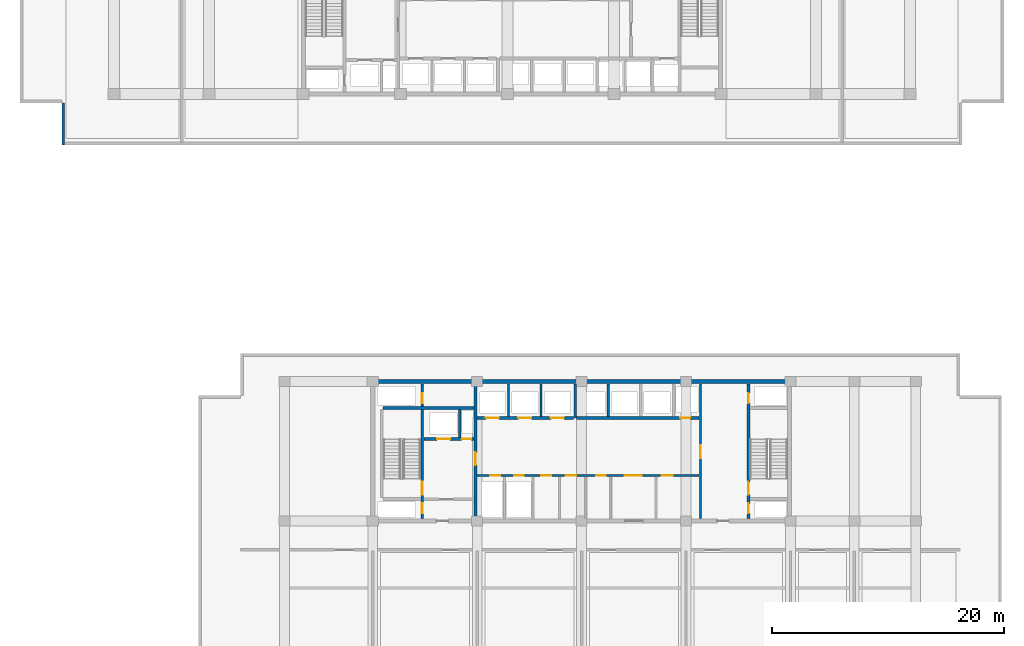
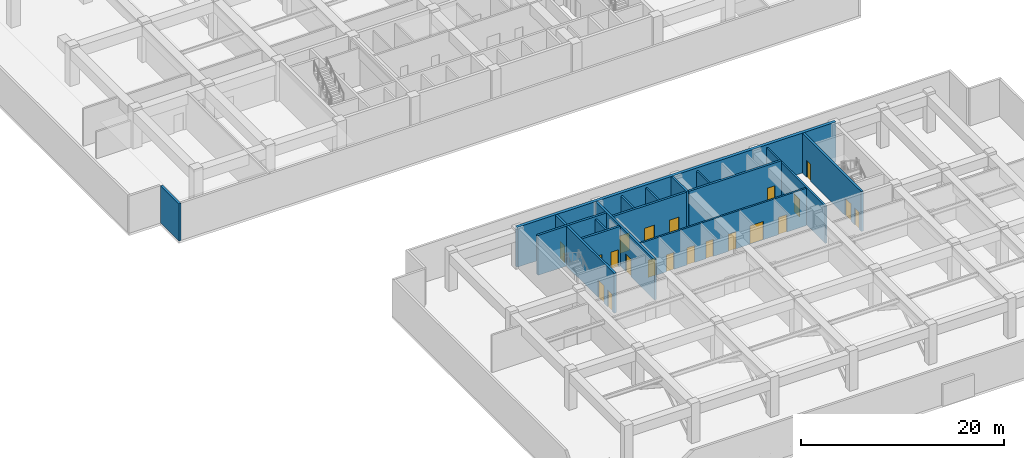
# One storey, part 9 of 21: 21 doors, 16 walls, 21 openings.
"""IFC4 building model written with IfcOpenShell, lengths in metres."""

from ifc_helpers import new_model, si_unit, direction, frame, frame_2d, origin, place, context, subcontext, project, spatial, rectangle, extrude, material, layer, layer_set, type_object, element, fill, save


model = new_model("IFC4")

# Units and contexts
model_context = context("Model", 3, precision=1e-05, world=origin(), true_north=direction((0.0, 1.0)))
body_context = subcontext(model_context, "Body", "Model", "MODEL_VIEW")
ifc_project = project(units=[si_unit("LENGTHUNIT", "METRE"), si_unit("AREAUNIT", "SQUARE_METRE"), si_unit("VOLUMEUNIT", "CUBIC_METRE"), si_unit("PLANEANGLEUNIT", "RADIAN"), si_unit("MASSUNIT", "GRAM", prefix="KILO")], contexts=[model_context])

# Site, building, storey
site_placement = place(None, origin())
site = spatial("IfcSite", under=ifc_project, at=site_placement, CompositionType="ELEMENT")
building_placement = place(site_placement, origin())
building = spatial("IfcBuilding", under=site, at=building_placement, Name="Korimba Cascade Residences", CompositionType="ELEMENT")
storey_placement = place(building_placement, frame((0.0, 0.0, 76.0)))
storey = spatial("IfcBuildingStorey", under=building, at=storey_placement, Name="L21", CompositionType="ELEMENT", Elevation=76.0)

# Walls
ifc_material_1 = material(Name="Precast concrete C40/50", Category="concrete")
ifc_layer_1 = layer(ifc_material_1, 0.25)
ifc_layer_set_1 = layer_set([ifc_layer_1], Name="Precast concrete C40/50")
wall_type_1 = type_object("IfcWallType", Name="EW-PLNT-250", PredefinedType="SHEAR", material=ifc_layer_set_1)
wall_1_placement = place(storey_placement, frame((55.425048828125, 54.39990234375, 0.0), z_axis=(0.0, 0.0, 1.0), x_axis=(0.0, -1.0, 0.0)))
element("IfcWall", 1, at=wall_1_placement, inside=storey, type_object=wall_type_1, Name="L21 T1 Perimeter Stone Wall E11", PredefinedType="SHEAR", context=body_context, shape_type="SweptSolid", body=[
    extrude(rectangle(XDim=3.599853515625, YDim=0.25, at=frame_2d((1.7998046875, 0.0))), origin(), (0.0, 0.0, 1.0), 4.47998046875),
])
ifc_material_2 = material(Name="Concrete C65/80", Category="concrete")
ifc_layer_2 = layer(ifc_material_2, 0.35009765625)
ifc_layer_set_2 = layer_set([ifc_layer_2], Name="Concrete C65/80")
wall_type_2 = type_object("IfcWallType", Name="WAL-CORE-350", PredefinedType="SHEAR", material=ifc_layer_set_2)
wall_2_placement = place(storey_placement, frame((81.925048828125, 30.39990234375, 0.0), z_axis=(0.0, 0.0, 1.0), x_axis=(1.0, 0.0, 0.0)))
element("IfcWall", 2, at=wall_2_placement, inside=storey, type_object=wall_type_2, Name="L21 Core Shear Wall CW-L21-T2-N", PredefinedType="SHEAR", context=body_context, shape_type="SweptSolid", body=[
    extrude(rectangle(XDim=36.264892578125, YDim=0.35009765625, at=frame_2d((18.13232421875, 0.0))), origin(), (0.0, 0.0, 1.0), 4.800048828125),
])
ifc_material_3 = material(Name="Concrete C40/50", Category="concrete")
ifc_layer_3 = layer(ifc_material_3, 0.199951171875)
ifc_layer_set_3 = layer_set([ifc_layer_3], Name="Concrete C40/50")
wall_type_3 = type_object("IfcWallType", Name="WAL-PART-200", PredefinedType="PARTITIONING", material=ifc_layer_set_3)
wall_3_placement = place(storey_placement, frame((89.60009765625, 25.580078125, 0.0), z_axis=(0.0, 0.0, 1.0), x_axis=(0.0, 1.0, 0.0)))
element("IfcWall", 3, at=wall_3_placement, inside=storey, type_object=wall_type_3, Name="L21 Partition Wall CW-L21-T2-FFLDIV", PredefinedType="PARTITIONING", context=body_context, shape_type="SweptSolid", body=[
    extrude(rectangle(XDim=2.419921875, YDim=0.199951171875, at=frame_2d((1.2099609375, 0.0))), origin(), (0.0, 0.0, 1.0), 4.47998046875),
])
for number, where, z_axis, x_axis, name in (
    (4, (93.800048828125, 27.3798828125, 0.0), (0.0, 0.0, 1.0), (0.0, 1.0, 0.0), "L21 Partition Wall CW-L21-T2-B1D1"),
    (5, (96.60009765625, 27.3798828125, 0.0), (0.0, 0.0, 1.0), (0.0, 1.0, 0.0), "L21 Partition Wall CW-L21-T2-B1D2"),
    (6, (102.39990234375, 27.3798828125, 0.0), (0.0, 0.0, 1.0), (0.0, 1.0, 0.0), "L21 Partition Wall CW-L21-T2-B2D1"),
):
    element("IfcWall", number, at=place(storey_placement, frame(where, z_axis=z_axis, x_axis=x_axis)), inside=storey, type_object=wall_type_3, Name=name, PredefinedType="PARTITIONING", context=body_context, shape_type="SweptSolid", body=[
        extrude(rectangle(XDim=2.820068359375, YDim=0.199951171875, at=frame_2d((1.41015625, 0.0))), origin(), (0.0, 0.0, 1.0), 4.47998046875),
    ])

# Wall, openings, doors
wall_4_placement = place(storey_placement, frame((91.080078125, 22.300048828125, 0.0), z_axis=(0.0, 0.0, 1.0), x_axis=(1.0, 0.0, 0.0)))
wall_4 = element("IfcWall", 7, at=wall_4_placement, inside=storey, type_object=wall_type_3, Name="L21 Partition Wall CW-L21-T2-SRVROW", PredefinedType="PARTITIONING", context=body_context, shape_type="SweptSolid", body=[
    extrude(rectangle(XDim=19.139892578125, YDim=0.199951171875, at=frame_2d((9.56982421875, 0.0))), origin(), (0.0, 0.0, 1.0), 4.47998046875),
])
opening_1_placement = place(wall_4_placement, frame((1.14990234375, 0.0, 0.0)))
opening_1 = element("IfcOpeningElement", 8, at=opening_1_placement, cuts=wall_4, Name="Opening D-RS1", PredefinedType="OPENING", context=body_context, shape_type="SweptSolid", body=[
    extrude(rectangle(XDim=0.85009765625, YDim=2.050048828125, at=frame_2d((0.425048828125, 1.02490234375))), frame((0.0, 0.10986328125, 0.0), z_axis=(0.0, -1.0, 0.0), x_axis=(1.0, 0.0, 0.0)), (0.0, 0.0, 1.0), 0.219970703125),
])
opening_2_placement = place(wall_4_placement, frame((3.199951171875, 0.0, 0.0)))
opening_2 = element("IfcOpeningElement", 9, at=opening_2_placement, cuts=wall_4, Name="Opening D-RS1", PredefinedType="OPENING", context=body_context, shape_type="SweptSolid", body=[
    extrude(rectangle(XDim=0.85009765625, YDim=2.050048828125, at=frame_2d((0.425048828125, 1.02490234375))), frame((0.0, 0.10986328125, 0.0), z_axis=(0.0, -1.0, 0.0), x_axis=(1.0, 0.0, 0.0)), (0.0, 0.0, 1.0), 0.219970703125),
])
opening_3_placement = place(wall_4_placement, frame((12.719970703125, 0.0, 0.0)))
opening_3 = element("IfcOpeningElement", 10, at=opening_3_placement, cuts=wall_4, Name="Opening D-FD8", PredefinedType="OPENING", context=body_context, shape_type="SweptSolid", body=[
    extrude(rectangle(XDim=1.5, YDim=2.199951171875, at=frame_2d((0.75, 1.10009765625))), frame((0.0, 0.10986328125, 0.0), z_axis=(0.0, -1.0, 0.0), x_axis=(1.0, 0.0, 0.0)), (0.0, 0.0, 1.0), 0.219970703125),
])
opening_4_placement = place(wall_4_placement, frame((5.52001953125, 0.0, 0.0)))
opening_4 = element("IfcOpeningElement", 11, at=opening_4_placement, cuts=wall_4, Name="Opening D-IN2", PredefinedType="OPENING", context=body_context, shape_type="SweptSolid", body=[
    extrude(rectangle(XDim=0.8798828125, YDim=2.06005859375, at=frame_2d((0.43994140625, 1.030029296875))), frame((0.0, 0.10986328125, 0.0), z_axis=(0.0, -1.0, 0.0), x_axis=(1.0, 0.0, 0.0)), (0.0, 0.0, 1.0), 0.219970703125),
])
opening_5_placement = place(wall_4_placement, frame((7.669921875, 0.0, 0.0)))
opening_5 = element("IfcOpeningElement", 12, at=opening_5_placement, cuts=wall_4, Name="Opening D-IN2", PredefinedType="OPENING", context=body_context, shape_type="SweptSolid", body=[
    extrude(rectangle(XDim=0.8798828125, YDim=2.06005859375, at=frame_2d((0.43994140625, 1.030029296875))), frame((0.0, 0.10986328125, 0.0), z_axis=(0.0, -1.0, 0.0), x_axis=(1.0, 0.0, 0.0)), (0.0, 0.0, 1.0), 0.219970703125),
])
opening_6_placement = place(wall_4_placement, frame((10.27001953125, 0.0, 0.0)))
opening_6 = element("IfcOpeningElement", 13, at=opening_6_placement, cuts=wall_4, Name="Opening D-RS1", PredefinedType="OPENING", context=body_context, shape_type="SweptSolid", body=[
    extrude(rectangle(XDim=0.85009765625, YDim=2.050048828125, at=frame_2d((0.425048828125, 1.02490234375))), frame((0.0, 0.10986328125, 0.0), z_axis=(0.0, -1.0, 0.0), x_axis=(1.0, 0.0, 0.0)), (0.0, 0.0, 1.0), 0.219970703125),
])
opening_7_placement = place(wall_4_placement, frame((15.919921875, 0.0, 0.0)))
opening_7 = element("IfcOpeningElement", 14, at=opening_7_placement, cuts=wall_4, Name="Opening D-AC1", PredefinedType="OPENING", context=body_context, shape_type="SweptSolid", body=[
    extrude(rectangle(XDim=0.9599609375, YDim=2.10009765625, at=frame_2d((0.47998046875, 1.050048828125))), frame((0.0, 0.10986328125, 0.0), z_axis=(0.0, -1.0, 0.0), x_axis=(1.0, 0.0, 0.0)), (0.0, 0.0, 1.0), 0.219970703125),
])
ifc_material_4 = material(Name="Accessible Acoustic Timber WC Door", Category="wood")
door_type_1 = type_object("IfcDoorType", Name="DR-ACC-950", OperationType="NOTDEFINED", PredefinedType="DOOR", material=ifc_material_4)
door_1_placement = place(opening_7_placement, origin())
door_1 = element("IfcDoor", 15, at=door_1_placement, inside=storey, type_object=door_type_1, Name="L21 T2 Accessible Staff WC Door", OperationType="SINGLE_SWING_RIGHT", OverallHeight=2.10009765625, OverallWidth=0.9599609375, PredefinedType="DOOR", context=body_context, shape_type="SweptSolid", body=[
    extrude(rectangle(XDim=0.9599609375, YDim=2.10009765625, at=frame_2d((0.47998046875, 1.050048828125))), frame((0.0, 0.02490234375, 0.0), z_axis=(0.0, -1.0, 0.0), x_axis=(1.0, 0.0, 0.0)), (0.0, 0.0, 1.0), 0.050048828125),
])
fill(opening_7, door_1)
ifc_material_5 = material(Name="Fire-Rated Steel Riser Access Door", Category="steel")
door_type_2 = type_object("IfcDoorType", Name="DR-FD60-850", OperationType="NOTDEFINED", PredefinedType="DOOR", material=ifc_material_5)
door_2_placement = place(opening_1_placement, origin())
door_2 = element("IfcDoor", 16, at=door_2_placement, inside=storey, type_object=door_type_2, Name="L21 T2 Electrical Riser Door", OperationType="SINGLE_SWING_LEFT", OverallHeight=2.050048828125, OverallWidth=0.85009765625, PredefinedType="DOOR", context=body_context, shape_type="SweptSolid", body=[
    extrude(rectangle(XDim=0.85009765625, YDim=2.050048828125, at=frame_2d((0.425048828125, 1.02490234375))), frame((0.0, 0.02490234375, 0.0), z_axis=(0.0, -1.0, 0.0), x_axis=(1.0, 0.0, 0.0)), (0.0, 0.0, 1.0), 0.050048828125),
])
fill(opening_1, door_2)
door_3_placement = place(opening_2_placement, origin())
door_3 = element("IfcDoor", 17, at=door_3_placement, inside=storey, type_object=door_type_2, Name="L21 T2 Plumbing Riser Door", OperationType="SINGLE_SWING_RIGHT", OverallHeight=2.050048828125, OverallWidth=0.85009765625, PredefinedType="DOOR", context=body_context, shape_type="SweptSolid", body=[
    extrude(rectangle(XDim=0.85009765625, YDim=2.050048828125, at=frame_2d((0.425048828125, 1.02490234375))), frame((0.0, 0.02490234375, 0.0), z_axis=(0.0, -1.0, 0.0), x_axis=(1.0, 0.0, 0.0)), (0.0, 0.0, 1.0), 0.050048828125),
])
fill(opening_2, door_3)
door_4_placement = place(opening_6_placement, origin())
door_4 = element("IfcDoor", 18, at=door_4_placement, inside=storey, type_object=door_type_2, Name="L21 T2 IT Room Door", OperationType="SINGLE_SWING_LEFT", OverallHeight=2.050048828125, OverallWidth=0.85009765625, PredefinedType="DOOR", context=body_context, shape_type="SweptSolid", body=[
    extrude(rectangle(XDim=0.85009765625, YDim=2.050048828125, at=frame_2d((0.425048828125, 1.02490234375))), frame((0.0, 0.02490234375, 0.0), z_axis=(0.0, -1.0, 0.0), x_axis=(1.0, 0.0, 0.0)), (0.0, 0.0, 1.0), 0.050048828125),
])
fill(opening_6, door_4)
ifc_material_6 = material(Name="Fire-Rated Glazed Lift Lobby Double Door", Category="glass")
door_type_3 = type_object("IfcDoorType", Name="DR-FD90-1500", OperationType="NOTDEFINED", PredefinedType="DOOR", material=ifc_material_6)
door_5_placement = place(opening_3_placement, origin())
door_5 = element("IfcDoor", 19, at=door_5_placement, inside=storey, type_object=door_type_3, Name="L21 T2 Lift Lobby Foyer Door", OperationType="DOUBLE_DOOR_SINGLE_SWING", OverallHeight=2.199951171875, OverallWidth=1.5, PredefinedType="DOOR", context=body_context, shape_type="SweptSolid", body=[
    extrude(rectangle(XDim=1.5, YDim=2.199951171875, at=frame_2d((0.75, 1.10009765625))), frame((0.0, 0.02490234375, 0.0), z_axis=(0.0, -1.0, 0.0), x_axis=(1.0, 0.0, 0.0)), (0.0, 0.0, 1.0), 0.050048828125),
])
fill(opening_3, door_5)
ifc_material_7 = material(Name="Acoustic Timber Bedroom Door", Category="wood")
door_type_4 = type_object("IfcDoorType", Name="DR-INT-880", OperationType="NOTDEFINED", PredefinedType="DOOR", material=ifc_material_7)
door_6_placement = place(opening_4_placement, origin())
door_6 = element("IfcDoor", 20, at=door_6_placement, inside=storey, type_object=door_type_4, Name="L21 T2 Cleaners Door", OperationType="SINGLE_SWING_LEFT", OverallHeight=2.06005859375, OverallWidth=0.8798828125, PredefinedType="DOOR", context=body_context, shape_type="SweptSolid", body=[
    extrude(rectangle(XDim=0.8798828125, YDim=2.06005859375, at=frame_2d((0.43994140625, 1.030029296875))), frame((0.0, 0.02490234375, 0.0), z_axis=(0.0, -1.0, 0.0), x_axis=(1.0, 0.0, 0.0)), (0.0, 0.0, 1.0), 0.050048828125),
])
fill(opening_4, door_6)
door_7_placement = place(opening_5_placement, origin())
door_7 = element("IfcDoor", 21, at=door_7_placement, inside=storey, type_object=door_type_4, Name="L21 T2 Pantry Door", OperationType="SINGLE_SWING_RIGHT", OverallHeight=2.06005859375, OverallWidth=0.8798828125, PredefinedType="DOOR", context=body_context, shape_type="SweptSolid", body=[
    extrude(rectangle(XDim=0.8798828125, YDim=2.06005859375, at=frame_2d((0.43994140625, 1.030029296875))), frame((0.0, 0.02490234375, 0.0), z_axis=(0.0, -1.0, 0.0), x_axis=(1.0, 0.0, 0.0)), (0.0, 0.0, 1.0), 0.050048828125),
])
fill(opening_5, door_7)

# Wall, opening, door
wall_5_placement = place(storey_placement, frame((110.35009765625, 18.60009765625, 0.0), z_axis=(0.0, 0.0, 1.0), x_axis=(0.0, 1.0, 0.0)))
wall_5 = element("IfcWall", 22, at=wall_5_placement, inside=storey, type_object=wall_type_3, Name="L21 Partition Wall CW-L21-T2-LLEV", PredefinedType="PARTITIONING", context=body_context, shape_type="SweptSolid", body=[
    extrude(rectangle(XDim=11.599853515625, YDim=0.199951171875, at=frame_2d((5.7998046875, 0.0))), origin(), (0.0, 0.0, 1.0), 4.47998046875),
])
opening_8_placement = place(wall_5_placement, frame((5.199951171875, 0.0, 0.0)))
opening_8 = element("IfcOpeningElement", 23, at=opening_8_placement, cuts=wall_5, Name="Opening D-FD6", PredefinedType="OPENING", context=body_context, shape_type="SweptSolid", body=[
    extrude(rectangle(XDim=1.10009765625, YDim=2.14990234375, at=frame_2d((0.550048828125, 1.074951171875))), frame((0.0, 0.10986328125, 0.0), z_axis=(0.0, -1.0, 0.0), x_axis=(1.0, 0.0, 0.0)), (0.0, 0.0, 1.0), 0.219970703125),
])
ifc_material_8 = material(Name="Fire-Rated Timber Stair Lobby Door", Category="wood")
door_type_5 = type_object("IfcDoorType", Name="DR-FD90-1100", OperationType="NOTDEFINED", PredefinedType="DOOR", material=ifc_material_8)
door_8_placement = place(opening_8_placement, origin())
door_8 = element("IfcDoor", 24, at=door_8_placement, inside=storey, type_object=door_type_5, Name="L21 T2 Lift Lobby to East Stair Lobby Door", OperationType="SINGLE_SWING_LEFT", OverallHeight=2.14990234375, OverallWidth=1.10009765625, PredefinedType="DOOR", context=body_context, shape_type="SweptSolid", body=[
    extrude(rectangle(XDim=1.10009765625, YDim=2.14990234375, at=frame_2d((0.550048828125, 1.074951171875))), frame((0.0, 0.02490234375, 0.0), z_axis=(0.0, -1.0, 0.0), x_axis=(1.0, 0.0, 0.0)), (0.0, 0.0, 1.0), 0.050048828125),
])
fill(opening_8, door_8)

# Wall, openings, doors
ifc_material_9 = material(Name="Concrete C50/60", Category="concrete")
ifc_layer_4 = layer(ifc_material_9, 0.25)
ifc_layer_set_4 = layer_set([ifc_layer_4], Name="Concrete C50/60")
wall_type_4 = type_object("IfcWallType", Name="WAL-SHAFT-250", PredefinedType="SHEAR", material=ifc_layer_set_4)
wall_6_placement = place(storey_placement, frame((86.364990234375, 18.60009765625, 0.0), z_axis=(0.0, 0.0, 1.0), x_axis=(0.0, 1.0, 0.0)))
wall_6 = element("IfcWall", 25, at=wall_6_placement, inside=storey, type_object=wall_type_4, Name="L21 Core Shear Wall CW-L21-T2-STE1E", PredefinedType="SHEAR", context=body_context, shape_type="SweptSolid", body=[
    extrude(rectangle(XDim=11.599853515625, YDim=0.25, at=frame_2d((5.7998046875, 0.0))), origin(), (0.0, 0.0, 1.0), 4.800048828125),
])
opening_9_placement = place(wall_6_placement, frame((0.449951171875, 0.0, 0.0)))
opening_9 = element("IfcOpeningElement", 26, at=opening_9_placement, cuts=wall_6, Name="Opening D-RS1", PredefinedType="OPENING", context=body_context, shape_type="SweptSolid", body=[
    extrude(rectangle(XDim=0.85009765625, YDim=2.050048828125, at=frame_2d((0.425048828125, 1.02490234375))), frame((0.0, 0.135009765625, 0.0), z_axis=(0.0, -1.0, 0.0), x_axis=(1.0, 0.0, 0.0)), (0.0, 0.0, 1.0), 0.27001953125),
])
opening_10_placement = place(wall_6_placement, frame((2.050048828125, 0.0, 0.0)))
opening_10 = element("IfcOpeningElement", 27, at=opening_10_placement, cuts=wall_6, Name="Opening D-FD1", PredefinedType="OPENING", context=body_context, shape_type="SweptSolid", body=[
    extrude(rectangle(XDim=1.10009765625, YDim=2.10009765625, at=frame_2d((0.550048828125, 1.050048828125))), frame((0.0, 0.135009765625, 0.0), z_axis=(0.0, -1.0, 0.0), x_axis=(1.0, 0.0, 0.0)), (0.0, 0.0, 1.0), 0.27001953125),
])
opening_11_placement = place(wall_6_placement, frame((9.949951171875, 0.0, 0.0)))
opening_11 = element("IfcOpeningElement", 28, at=opening_11_placement, cuts=wall_6, Name="Opening D-RS1", PredefinedType="OPENING", context=body_context, shape_type="SweptSolid", body=[
    extrude(rectangle(XDim=0.85009765625, YDim=2.050048828125, at=frame_2d((0.425048828125, 1.02490234375))), frame((0.0, 0.135009765625, 0.0), z_axis=(0.0, -1.0, 0.0), x_axis=(1.0, 0.0, 0.0)), (0.0, 0.0, 1.0), 0.27001953125),
])
ifc_material_10 = material(Name="Fire-Rated Steel Core Door", Category="steel")
door_type_6 = type_object("IfcDoorType", Name="DR-FD120-1100", OperationType="NOTDEFINED", PredefinedType="DOOR", material=ifc_material_10)
door_9_placement = place(opening_10_placement, origin())
door_9 = element("IfcDoor", 29, at=door_9_placement, inside=storey, type_object=door_type_6, Name="L21 Fire Stair ST-E1 Door", OperationType="SINGLE_SWING_LEFT", OverallHeight=2.10009765625, OverallWidth=1.10009765625, PredefinedType="DOOR", context=body_context, shape_type="SweptSolid", body=[
    extrude(rectangle(XDim=1.10009765625, YDim=2.10009765625, at=frame_2d((0.550048828125, 1.050048828125))), frame((0.0, 0.02490234375, 0.0), z_axis=(0.0, -1.0, 0.0), x_axis=(1.0, 0.0, 0.0)), (0.0, 0.0, 1.0), 0.050048828125),
])
fill(opening_10, door_9)
door_10_placement = place(opening_9_placement, origin())
door_10 = element("IfcDoor", 30, at=door_10_placement, inside=storey, type_object=door_type_2, Name="L21 T2 Hydrant Riser Door", OperationType="SINGLE_SWING_RIGHT", OverallHeight=2.050048828125, OverallWidth=0.85009765625, PredefinedType="DOOR", context=body_context, shape_type="SweptSolid", body=[
    extrude(rectangle(XDim=0.85009765625, YDim=2.050048828125, at=frame_2d((0.425048828125, 1.02490234375))), frame((0.0, 0.02490234375, 0.0), z_axis=(0.0, -1.0, 0.0), x_axis=(1.0, 0.0, 0.0)), (0.0, 0.0, 1.0), 0.050048828125),
])
fill(opening_9, door_10)
door_11_placement = place(opening_11_placement, origin())
door_11 = element("IfcDoor", 31, at=door_11_placement, inside=storey, type_object=door_type_2, Name="L21 T2 Smoke Shaft Door", OperationType="SINGLE_SWING_RIGHT", OverallHeight=2.050048828125, OverallWidth=0.85009765625, PredefinedType="DOOR", context=body_context, shape_type="SweptSolid", body=[
    extrude(rectangle(XDim=0.85009765625, YDim=2.050048828125, at=frame_2d((0.425048828125, 1.02490234375))), frame((0.0, 0.02490234375, 0.0), z_axis=(0.0, -1.0, 0.0), x_axis=(1.0, 0.0, 0.0)), (0.0, 0.0, 1.0), 0.050048828125),
])
fill(opening_11, door_11)

# Wall
wall_7_placement = place(storey_placement, frame((83.0, 28.125, 0.0), z_axis=(0.0, 0.0, 1.0), x_axis=(1.0, 0.0, 0.0)))
element("IfcWall", 32, at=wall_7_placement, inside=storey, type_object=wall_type_4, Name="L21 Core Shear Wall CW-L21-T2-STE1N", PredefinedType="SHEAR", context=body_context, shape_type="SweptSolid", body=[
    extrude(rectangle(XDim=7.820068359375, YDim=0.25, at=frame_2d((3.91015625, 0.0))), origin(), (0.0, 0.0, 1.0), 4.800048828125),
])

# Wall, openings, doors
wall_8_placement = place(storey_placement, frame((86.5, 25.449951171875, 0.0), z_axis=(0.0, 0.0, 1.0), x_axis=(1.0, 0.0, 0.0)))
wall_8 = element("IfcWall", 33, at=wall_8_placement, inside=storey, type_object=wall_type_4, Name="L21 Core Shear Wall CW-L21-T2-FFLN", PredefinedType="SHEAR", context=body_context, shape_type="SweptSolid", body=[
    extrude(rectangle(XDim=4.320068359375, YDim=0.25, at=frame_2d((2.16015625, 0.0))), origin(), (0.0, 0.0, 1.0), 4.800048828125),
])
opening_12_placement = place(wall_8_placement, frame((1.139892578125, 0.0, 0.0)))
opening_12 = element("IfcOpeningElement", 34, at=opening_12_placement, cuts=wall_8, Name="Opening LD-01", PredefinedType="OPENING", context=body_context, shape_type="SweptSolid", body=[
    extrude(rectangle(XDim=1.1201171875, YDim=2.1201171875, at=frame_2d((0.56005859375, 1.06005859375))), frame((0.0, 0.135009765625, 0.0), z_axis=(0.0, -1.0, 0.0), x_axis=(1.0, 0.0, 0.0)), (0.0, 0.0, 1.0), 0.27001953125),
])
opening_13_placement = place(wall_8_placement, frame((3.25, 0.0, 0.0)))
opening_13 = element("IfcOpeningElement", 35, at=opening_13_placement, cuts=wall_8, Name="Opening D-RS1", PredefinedType="OPENING", context=body_context, shape_type="SweptSolid", body=[
    extrude(rectangle(XDim=0.85009765625, YDim=2.050048828125, at=frame_2d((0.425048828125, 1.02490234375))), frame((0.0, 0.135009765625, 0.0), z_axis=(0.0, -1.0, 0.0), x_axis=(1.0, 0.0, 0.0)), (0.0, 0.0, 1.0), 0.27001953125),
])
door_12_placement = place(opening_13_placement, origin())
door_12 = element("IfcDoor", 36, at=door_12_placement, inside=storey, type_object=door_type_2, Name="L21 T2 Pressurisation Riser Door", OperationType="SINGLE_SWING_LEFT", OverallHeight=2.050048828125, OverallWidth=0.85009765625, PredefinedType="DOOR", context=body_context, shape_type="SweptSolid", body=[
    extrude(rectangle(XDim=0.85009765625, YDim=2.050048828125, at=frame_2d((0.425048828125, 1.02490234375))), frame((0.0, 0.02490234375, 0.0), z_axis=(0.0, -1.0, 0.0), x_axis=(1.0, 0.0, 0.0)), (0.0, 0.0, 1.0), 0.050048828125),
])
fill(opening_13, door_12)
ifc_material_11 = material(Name="Stainless Steel Lift Landing Sliding Door", Category="steel")
door_type_7 = type_object("IfcDoorType", Name="DR-LIFT-1100", OperationType="NOTDEFINED", PredefinedType="DOOR", material=ifc_material_11)
door_13_placement = place(opening_12_placement, origin())
door_13 = element("IfcDoor", 37, at=door_13_placement, inside=storey, type_object=door_type_7, Name="L21 Firefighting Lift Landing Door FFL-E1", OperationType="SLIDING_TO_RIGHT", OverallHeight=2.1201171875, OverallWidth=1.1201171875, PredefinedType="DOOR", context=body_context, shape_type="SweptSolid", body=[
    extrude(rectangle(XDim=1.1201171875, YDim=2.1201171875, at=frame_2d((0.56005859375, 1.06005859375))), frame((0.0, 0.02490234375, 0.0), z_axis=(0.0, -1.0, 0.0), x_axis=(1.0, 0.0, 0.0)), (0.0, 0.0, 1.0), 0.050048828125),
])
fill(opening_12, door_13)

# Wall, opening, door
wall_9_placement = place(storey_placement, frame((90.949951171875, 18.60009765625, 0.0), z_axis=(0.0, 0.0, 1.0), x_axis=(0.0, 1.0, 0.0)))
wall_9 = element("IfcWall", 38, at=wall_9_placement, inside=storey, type_object=wall_type_4, Name="L21 Core Shear Wall CW-L21-T2-FFLE", PredefinedType="SHEAR", context=body_context, shape_type="SweptSolid", body=[
    extrude(rectangle(XDim=11.599853515625, YDim=0.25, at=frame_2d((5.7998046875, 0.0))), origin(), (0.0, 0.0, 1.0), 4.800048828125),
])
opening_14_placement = place(wall_9_placement, frame((4.60009765625, 0.0, 0.0)))
opening_14 = element("IfcOpeningElement", 39, at=opening_14_placement, cuts=wall_9, Name="Opening D-FD1", PredefinedType="OPENING", context=body_context, shape_type="SweptSolid", body=[
    extrude(rectangle(XDim=1.10009765625, YDim=2.10009765625, at=frame_2d((0.550048828125, 1.050048828125))), frame((0.0, 0.135009765625, 0.0), z_axis=(0.0, -1.0, 0.0), x_axis=(1.0, 0.0, 0.0)), (0.0, 0.0, 1.0), 0.27001953125),
])
door_14_placement = place(opening_14_placement, origin())
door_14 = element("IfcDoor", 40, at=door_14_placement, inside=storey, type_object=door_type_6, Name="L21 T2 Firefighting Lobby to Lift Lobby Door", OperationType="SINGLE_SWING_LEFT", OverallHeight=2.10009765625, OverallWidth=1.10009765625, PredefinedType="DOOR", context=body_context, shape_type="SweptSolid", body=[
    extrude(rectangle(XDim=1.10009765625, YDim=2.10009765625, at=frame_2d((0.550048828125, 1.050048828125))), frame((0.0, 0.02490234375, 0.0), z_axis=(0.0, -1.0, 0.0), x_axis=(1.0, 0.0, 0.0)), (0.0, 0.0, 1.0), 0.050048828125),
])
fill(opening_14, door_14)

# Wall, openings, doors
wall_10_placement = place(storey_placement, frame((91.080078125, 27.25, 0.0), z_axis=(0.0, 0.0, 1.0), x_axis=(1.0, 0.0, 0.0)))
wall_10 = element("IfcWall", 41, at=wall_10_placement, inside=storey, type_object=wall_type_4, Name="L21 Core Shear Wall CW-L21-T2-B1S", PredefinedType="SHEAR", context=body_context, shape_type="SweptSolid", body=[
    extrude(rectangle(XDim=8.33984375, YDim=0.25, at=frame_2d((4.169921875, 0.0))), origin(), (0.0, 0.0, 1.0), 4.800048828125),
])
opening_15_placement = place(wall_10_placement, frame((0.760009765625, 0.0, 0.0)))
opening_15 = element("IfcOpeningElement", 42, at=opening_15_placement, cuts=wall_10, Name="Opening LD-01", PredefinedType="OPENING", context=body_context, shape_type="SweptSolid", body=[
    extrude(rectangle(XDim=1.1201171875, YDim=2.1201171875, at=frame_2d((0.56005859375, 1.06005859375))), frame((0.0, 0.135009765625, 0.0), z_axis=(0.0, -1.0, 0.0), x_axis=(1.0, 0.0, 0.0)), (0.0, 0.0, 1.0), 0.27001953125),
])
opening_16_placement = place(wall_10_placement, frame((3.56005859375, 0.0, 0.0)))
opening_16 = element("IfcOpeningElement", 43, at=opening_16_placement, cuts=wall_10, Name="Opening LD-01", PredefinedType="OPENING", context=body_context, shape_type="SweptSolid", body=[
    extrude(rectangle(XDim=1.1201171875, YDim=2.1201171875, at=frame_2d((0.56005859375, 1.06005859375))), frame((0.0, 0.135009765625, 0.0), z_axis=(0.0, -1.0, 0.0), x_axis=(1.0, 0.0, 0.0)), (0.0, 0.0, 1.0), 0.27001953125),
])
opening_17_placement = place(wall_10_placement, frame((6.360107421875, 0.0, 0.0)))
opening_17 = element("IfcOpeningElement", 44, at=opening_17_placement, cuts=wall_10, Name="Opening LD-01", PredefinedType="OPENING", context=body_context, shape_type="SweptSolid", body=[
    extrude(rectangle(XDim=1.1201171875, YDim=2.1201171875, at=frame_2d((0.56005859375, 1.06005859375))), frame((0.0, 0.135009765625, 0.0), z_axis=(0.0, -1.0, 0.0), x_axis=(1.0, 0.0, 0.0)), (0.0, 0.0, 1.0), 0.27001953125),
])
door_15_placement = place(opening_15_placement, origin())
door_15 = element("IfcDoor", 45, at=door_15_placement, inside=storey, type_object=door_type_7, Name="L21 Lift Landing Door PL-E1", OperationType="SLIDING_TO_LEFT", OverallHeight=2.1201171875, OverallWidth=1.1201171875, PredefinedType="DOOR", context=body_context, shape_type="SweptSolid", body=[
    extrude(rectangle(XDim=1.1201171875, YDim=2.1201171875, at=frame_2d((0.56005859375, 1.06005859375))), frame((0.0, 0.02490234375, 0.0), z_axis=(0.0, -1.0, 0.0), x_axis=(1.0, 0.0, 0.0)), (0.0, 0.0, 1.0), 0.050048828125),
])
fill(opening_15, door_15)
door_16_placement = place(opening_16_placement, origin())
door_16 = element("IfcDoor", 46, at=door_16_placement, inside=storey, type_object=door_type_7, Name="L21 Lift Landing Door PL-E2", OperationType="SLIDING_TO_LEFT", OverallHeight=2.1201171875, OverallWidth=1.1201171875, PredefinedType="DOOR", context=body_context, shape_type="SweptSolid", body=[
    extrude(rectangle(XDim=1.1201171875, YDim=2.1201171875, at=frame_2d((0.56005859375, 1.06005859375))), frame((0.0, 0.02490234375, 0.0), z_axis=(0.0, -1.0, 0.0), x_axis=(1.0, 0.0, 0.0)), (0.0, 0.0, 1.0), 0.050048828125),
])
fill(opening_16, door_16)
door_17_placement = place(opening_17_placement, origin())
door_17 = element("IfcDoor", 47, at=door_17_placement, inside=storey, type_object=door_type_7, Name="L21 Lift Landing Door PL-E3", OperationType="SLIDING_TO_LEFT", OverallHeight=2.1201171875, OverallWidth=1.1201171875, PredefinedType="DOOR", context=body_context, shape_type="SweptSolid", body=[
    extrude(rectangle(XDim=1.1201171875, YDim=2.1201171875, at=frame_2d((0.56005859375, 1.06005859375))), frame((0.0, 0.02490234375, 0.0), z_axis=(0.0, -1.0, 0.0), x_axis=(1.0, 0.0, 0.0)), (0.0, 0.0, 1.0), 0.050048828125),
])
fill(opening_17, door_17)

# Wall
wall_11_placement = place(storey_placement, frame((99.550048828125, 27.25, 0.0), z_axis=(0.0, 0.0, 1.0), x_axis=(0.0, 1.0, 0.0)))
element("IfcWall", 48, at=wall_11_placement, inside=storey, type_object=wall_type_4, Name="L21 Core Shear Wall CW-L21-T2-B12DIV", PredefinedType="SHEAR", context=body_context, shape_type="SweptSolid", body=[
    extrude(rectangle(XDim=2.949951171875, YDim=0.25, at=frame_2d((1.47509765625, 0.0))), origin(), (0.0, 0.0, 1.0), 4.800048828125),
])

# Wall, opening, door
wall_12_placement = place(storey_placement, frame((99.679931640625, 27.25, 0.0), z_axis=(0.0, 0.0, 1.0), x_axis=(1.0, 0.0, 0.0)))
wall_12 = element("IfcWall", 49, at=wall_12_placement, inside=storey, type_object=wall_type_4, Name="L21 Core Shear Wall CW-L21-T2-B2S", PredefinedType="SHEAR", context=body_context, shape_type="SweptSolid", body=[
    extrude(rectangle(XDim=10.5400390625, YDim=0.25, at=frame_2d((5.27001953125, 0.0))), origin(), (0.0, 0.0, 1.0), 4.800048828125),
])
opening_18_placement = place(wall_12_placement, frame((8.919921875, 0.0, 0.0)))
opening_18 = element("IfcOpeningElement", 50, at=opening_18_placement, cuts=wall_12, Name="Opening D-RS1", PredefinedType="OPENING", context=body_context, shape_type="SweptSolid", body=[
    extrude(rectangle(XDim=0.85009765625, YDim=2.050048828125, at=frame_2d((0.425048828125, 1.02490234375))), frame((0.0, 0.135009765625, 0.0), z_axis=(0.0, -1.0, 0.0), x_axis=(1.0, 0.0, 0.0)), (0.0, 0.0, 1.0), 0.27001953125),
])
door_18_placement = place(opening_18_placement, origin())
door_18 = element("IfcDoor", 51, at=door_18_placement, inside=storey, type_object=door_type_2, Name="L21 T2 Duct Door", OperationType="SINGLE_SWING_RIGHT", OverallHeight=2.050048828125, OverallWidth=0.85009765625, PredefinedType="DOOR", context=body_context, shape_type="SweptSolid", body=[
    extrude(rectangle(XDim=0.85009765625, YDim=2.050048828125, at=frame_2d((0.425048828125, 1.02490234375))), frame((0.0, 0.02490234375, 0.0), z_axis=(0.0, -1.0, 0.0), x_axis=(1.0, 0.0, 0.0)), (0.0, 0.0, 1.0), 0.050048828125),
])
fill(opening_18, door_18)

# Wall, openings, doors
wall_13_placement = place(storey_placement, frame((114.47509765625, 18.60009765625, 0.0), z_axis=(0.0, 0.0, 1.0), x_axis=(0.0, 1.0, 0.0)))
wall_13 = element("IfcWall", 52, at=wall_13_placement, inside=storey, type_object=wall_type_4, Name="L21 Core Shear Wall CW-L21-T2-STE2W", PredefinedType="SHEAR", context=body_context, shape_type="SweptSolid", body=[
    extrude(rectangle(XDim=11.599853515625, YDim=0.25, at=frame_2d((5.7998046875, 0.0))), origin(), (0.0, 0.0, 1.0), 4.800048828125),
])
opening_19_placement = place(wall_13_placement, frame((0.449951171875, 0.0, 0.0)))
opening_19 = element("IfcOpeningElement", 53, at=opening_19_placement, cuts=wall_13, Name="Opening D-RS1", PredefinedType="OPENING", context=body_context, shape_type="SweptSolid", body=[
    extrude(rectangle(XDim=0.85009765625, YDim=2.050048828125, at=frame_2d((0.425048828125, 1.02490234375))), frame((0.0, 0.135009765625, 0.0), z_axis=(0.0, -1.0, 0.0), x_axis=(1.0, 0.0, 0.0)), (0.0, 0.0, 1.0), 0.27001953125),
])
opening_20_placement = place(wall_13_placement, frame((2.050048828125, 0.0, 0.0)))
opening_20 = element("IfcOpeningElement", 54, at=opening_20_placement, cuts=wall_13, Name="Opening D-FD1", PredefinedType="OPENING", context=body_context, shape_type="SweptSolid", body=[
    extrude(rectangle(XDim=1.10009765625, YDim=2.10009765625, at=frame_2d((0.550048828125, 1.050048828125))), frame((0.0, 0.135009765625, 0.0), z_axis=(0.0, -1.0, 0.0), x_axis=(1.0, 0.0, 0.0)), (0.0, 0.0, 1.0), 0.27001953125),
])
opening_21_placement = place(wall_13_placement, frame((9.949951171875, 0.0, 0.0)))
opening_21 = element("IfcOpeningElement", 55, at=opening_21_placement, cuts=wall_13, Name="Opening D-RS1", PredefinedType="OPENING", context=body_context, shape_type="SweptSolid", body=[
    extrude(rectangle(XDim=0.85009765625, YDim=2.050048828125, at=frame_2d((0.425048828125, 1.02490234375))), frame((0.0, 0.135009765625, 0.0), z_axis=(0.0, -1.0, 0.0), x_axis=(1.0, 0.0, 0.0)), (0.0, 0.0, 1.0), 0.27001953125),
])
door_19_placement = place(opening_20_placement, origin())
door_19 = element("IfcDoor", 56, at=door_19_placement, inside=storey, type_object=door_type_6, Name="L21 Fire Stair ST-E2 Door", OperationType="SINGLE_SWING_LEFT", OverallHeight=2.10009765625, OverallWidth=1.10009765625, PredefinedType="DOOR", context=body_context, shape_type="SweptSolid", body=[
    extrude(rectangle(XDim=1.10009765625, YDim=2.10009765625, at=frame_2d((0.550048828125, 1.050048828125))), frame((0.0, 0.02490234375, 0.0), z_axis=(0.0, -1.0, 0.0), x_axis=(1.0, 0.0, 0.0)), (0.0, 0.0, 1.0), 0.050048828125),
])
fill(opening_20, door_19)
door_20_placement = place(opening_19_placement, origin())
door_20 = element("IfcDoor", 57, at=door_20_placement, inside=storey, type_object=door_type_2, Name="L21 T2 East Hydrant Door", OperationType="SINGLE_SWING_RIGHT", OverallHeight=2.050048828125, OverallWidth=0.85009765625, PredefinedType="DOOR", context=body_context, shape_type="SweptSolid", body=[
    extrude(rectangle(XDim=0.85009765625, YDim=2.050048828125, at=frame_2d((0.425048828125, 1.02490234375))), frame((0.0, 0.02490234375, 0.0), z_axis=(0.0, -1.0, 0.0), x_axis=(1.0, 0.0, 0.0)), (0.0, 0.0, 1.0), 0.050048828125),
])
fill(opening_19, door_20)
door_21_placement = place(opening_21_placement, origin())
door_21 = element("IfcDoor", 58, at=door_21_placement, inside=storey, type_object=door_type_2, Name="L21 T2 East Riser Door", OperationType="SINGLE_SWING_RIGHT", OverallHeight=2.050048828125, OverallWidth=0.85009765625, PredefinedType="DOOR", context=body_context, shape_type="SweptSolid", body=[
    extrude(rectangle(XDim=0.85009765625, YDim=2.050048828125, at=frame_2d((0.425048828125, 1.02490234375))), frame((0.0, 0.02490234375, 0.0), z_axis=(0.0, -1.0, 0.0), x_axis=(1.0, 0.0, 0.0)), (0.0, 0.0, 1.0), 0.050048828125),
])
fill(opening_21, door_21)

save(model, "model.ifc")
